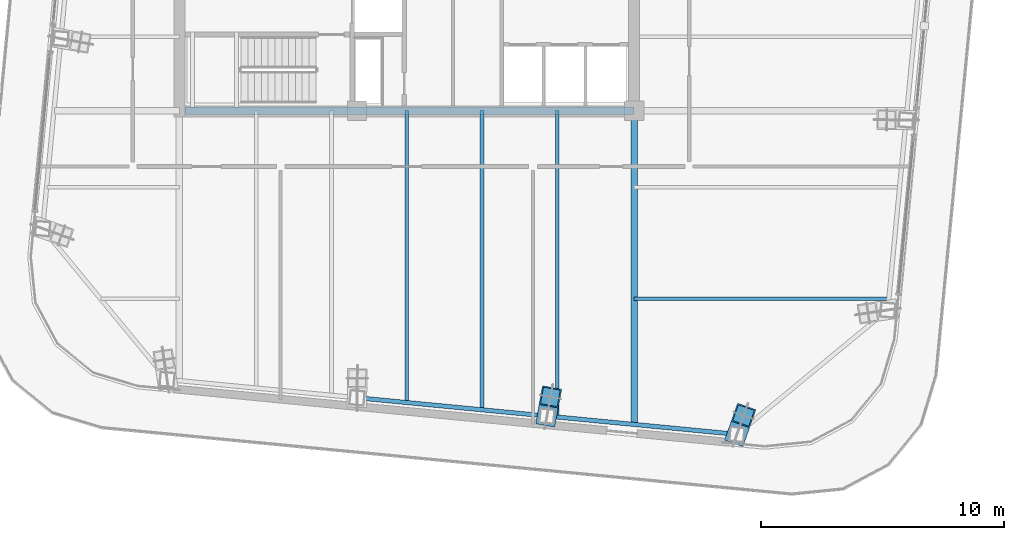
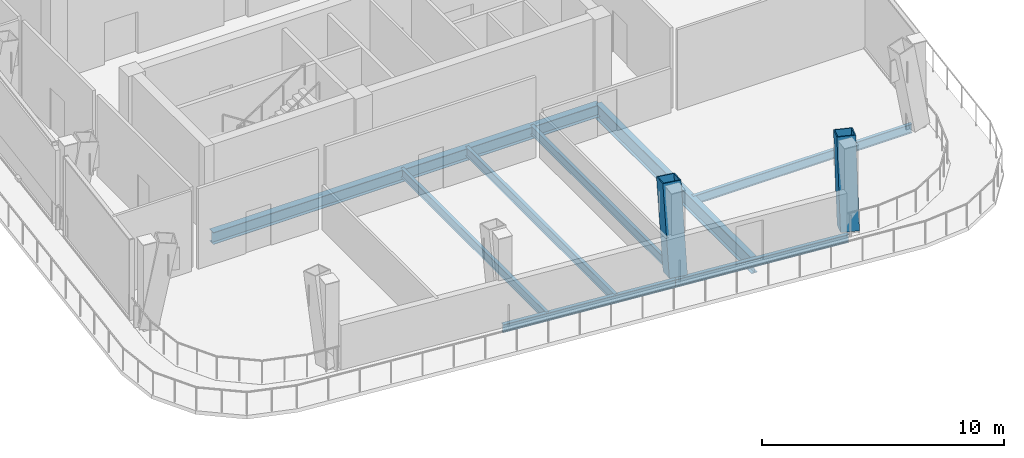
# One storey, part 3 of 19: 8 beams, 2 members.
"""IFC4 building model written with IfcOpenShell, lengths in metres."""

from ifc_helpers import new_model, si_unit, direction, frame, origin, origin_2d, place, context, subcontext, project, spatial, hollow_rectangle, i_section, extrude, material, material_profile, profile_set, type_object, element, save


model = new_model("IFC4")

# Units and contexts
model_context = context("Model", 3, precision=1e-05, world=origin(), true_north=direction((0.0, 1.0)))
body_context = subcontext(model_context, "Body", "Model", "MODEL_VIEW")
ifc_project = project(units=[si_unit("LENGTHUNIT", "METRE"), si_unit("AREAUNIT", "SQUARE_METRE"), si_unit("VOLUMEUNIT", "CUBIC_METRE"), si_unit("PLANEANGLEUNIT", "RADIAN"), si_unit("MASSUNIT", "GRAM", prefix="KILO")], contexts=[model_context])

# Site, building, storey
site_placement = place(None, origin())
site = spatial("IfcSite", under=ifc_project, at=site_placement, CompositionType="ELEMENT")
building_placement = place(site_placement, origin())
building = spatial("IfcBuilding", under=site, at=building_placement, Name="Qhalaya Broadcast Tower", CompositionType="ELEMENT")
storey_placement = place(building_placement, frame((0.0, 0.0, 280.550048828125)))
storey = spatial("IfcBuildingStorey", under=building, at=storey_placement, Name="L83", CompositionType="ELEMENT", Elevation=280.550048828125)

# Beams
ifc_material_1 = material(Name="Structural Steel ASTM A992 Grade 50", Category="steel")
ifc_material_profile_1 = material_profile(ifc_material_1, i_section(OverallWidth=0.154052734375, OverallDepth=0.458984375, WebThickness=0.009033203125, FlangeThickness=0.015380859375, at=origin_2d()), Name="W18X46")
ifc_profile_set_1 = profile_set([ifc_material_profile_1], Name="Structural Steel ASTM A992 Grade 50")
beam_type_1 = type_object("IfcBeamType", Name="Composite Floor Joist J04", PredefinedType="JOIST", material=ifc_profile_set_1)
beam_1_placement = place(storey_placement, frame((0.0, -20.760009765625, -0.41943359375), z_axis=(0.0, 1.0, 0.0), x_axis=(-1.0, 0.0, 0.0)))
element("IfcBeam", 1, at=beam_1_placement, inside=storey, type_object=beam_type_1, Name="L83 J04 L83-JNS3-1", PredefinedType="JOIST", context=body_context, shape_type="SweptSolid", body=[
    extrude(i_section(OverallWidth=0.154052734375, OverallDepth=0.458984375, WebThickness=0.009033203125, FlangeThickness=0.015380859375, at=origin_2d()), origin(), (0.0, 0.0, 1.0), 12.010009765625),
])
beam_2_placement = place(storey_placement, frame((3.10009765625, -21.058349609375, -0.41943359375), z_axis=(0.0, 1.0, 0.0), x_axis=(-1.0, 0.0, 0.0)))
element("IfcBeam", 2, at=beam_2_placement, inside=storey, type_object=beam_type_1, Name="L83 J04 L83-JNS4-1", PredefinedType="JOIST", context=body_context, shape_type="SweptSolid", body=[
    extrude(i_section(OverallWidth=0.154052734375, OverallDepth=0.458984375, WebThickness=0.009033203125, FlangeThickness=0.015380859375, at=origin_2d()), origin(), (0.0, 0.0, 1.0), 12.308349609375),
])
beam_3_placement = place(storey_placement, frame((6.199951171875, -21.35693359375, -0.41943359375), z_axis=(0.0, 1.0, 0.0), x_axis=(-1.0, 0.0, 0.0)))
element("IfcBeam", 3, at=beam_3_placement, inside=storey, type_object=beam_type_1, Name="L83 J04 L83-JNS5-1", PredefinedType="JOIST", context=body_context, shape_type="SweptSolid", body=[
    extrude(i_section(OverallWidth=0.154052734375, OverallDepth=0.458984375, WebThickness=0.009033203125, FlangeThickness=0.015380859375, at=origin_2d()), origin(), (0.0, 0.0, 1.0), 12.60693359375),
])
beam_4_placement = place(storey_placement, frame((9.375, -16.5, -0.41943359375), z_axis=(1.0, 0.0, 0.0), x_axis=(0.0, 1.0, 0.0)))
element("IfcBeam", 4, at=beam_4_placement, inside=storey, type_object=beam_type_1, Name="L83 J04 L83-JWE1E-1", PredefinedType="JOIST", context=body_context, shape_type="SweptSolid", body=[
    extrude(i_section(OverallWidth=0.154052734375, OverallDepth=0.458984375, WebThickness=0.009033203125, FlangeThickness=0.015380859375, at=origin_2d()), origin(), (0.0, 0.0, 1.0), 10.47802734375),
])
ifc_material_profile_2 = material_profile(ifc_material_1, i_section(OverallWidth=0.323974609375, OverallDepth=0.612060546875, WebThickness=0.0126953125, FlangeThickness=0.01904296875, at=origin_2d()), Name="W24X104")
ifc_profile_set_2 = profile_set([ifc_material_profile_2], Name="Structural Steel ASTM A992 Grade 50")
beam_type_2 = type_object("IfcBeamType", Name="Core Frame Tie Beam B04", PredefinedType="BEAM", material=ifc_profile_set_2)
beam_5_placement = place(storey_placement, frame((-9.1201171875, -8.75, -0.49609375), z_axis=(1.0, 0.0, 0.0), x_axis=(0.0, 1.0, 0.0)))
element("IfcBeam", 5, at=beam_5_placement, inside=storey, type_object=beam_type_2, Name="L83 B04 L83-CCS3", PredefinedType="BEAM", context=body_context, shape_type="SweptSolid", body=[
    extrude(i_section(OverallWidth=0.323974609375, OverallDepth=0.612060546875, WebThickness=0.0126953125, FlangeThickness=0.01904296875, at=origin_2d()), origin(), (0.0, 0.0, 1.0), 18.4951171875),
])
ifc_material_profile_3 = material_profile(ifc_material_1, i_section(OverallWidth=0.26708984375, OverallDepth=0.780029296875, WebThickness=0.0166015625, FlangeThickness=0.030029296875, at=origin_2d()), Name="W30X148")
ifc_profile_set_3 = profile_set([ifc_material_profile_3], Name="Structural Steel ASTM A992 Grade 50")
beam_type_3 = type_object("IfcBeamType", Name="Neck & Crown Primary Girder PG5", PredefinedType="USERDEFINED", material=ifc_profile_set_3)
beam_6_placement = place(storey_placement, frame((9.375, -21.66259765625, -0.580078125), z_axis=(0.0, 1.0, 0.0), x_axis=(-1.0, 0.0, 0.0)))
element("IfcBeam", 6, at=beam_6_placement, inside=storey, type_object=beam_type_3, Name="L83 PG5 L83-PGXS2-1", ObjectType="GIRDER", PredefinedType="USERDEFINED", context=body_context, shape_type="SweptSolid", body=[
    extrude(i_section(OverallWidth=0.26708984375, OverallDepth=0.780029296875, WebThickness=0.0166015625, FlangeThickness=0.030029296875, at=origin_2d()), origin(), (0.0, 0.0, 1.0), 12.91259765625),
])

# Members
ifc_material_2 = material(Name="Structural Steel ASTM A572 Grade 50", Category="steel")
ifc_material_profile_4 = material_profile(ifc_material_2, hollow_rectangle(XDim=0.800048828125, YDim=0.800048828125, WallThickness=0.050048828125, at=origin_2d()), Name="BOX 800x800x50")
ifc_profile_set_4 = profile_set([ifc_material_profile_4], Name="Structural Steel ASTM A572 Grade 50")
member_type = type_object("IfcMemberType", Name="Upper Exoskeleton Transfer Strut RK2", PredefinedType="BRACE", material=ifc_profile_set_4)
member_1_placement = place(storey_placement, frame((5.77783203125, -21.33642578125, 0.083984375), z_axis=(0.032958775289, 0.182004431459, 0.982745188775), x_axis=(-0.983996160528, 0.178189663186, 0.0)))
element("IfcMember", 7, at=member_1_placement, inside=storey, type_object=member_type, Name="L83 Inclined Exoskeleton Transfer Strut 03", PredefinedType="BRACE", context=body_context, shape_type="SweptSolid", body=[
    extrude(hollow_rectangle(XDim=0.800048828125, YDim=0.800048828125, WallThickness=0.050048828125, at=origin_2d()), origin(), (0.0, 0.0, 1.0), 4.3408203125),
])
member_2_placement = place(storey_placement, frame((13.6083984375, -22.09033203125, 0.0859375), z_axis=(0.063467808139, 0.178935370512, 0.981811575869), x_axis=(-0.942469880886, 0.334291076193, 0.0)))
element("IfcMember", 8, at=member_2_placement, inside=storey, type_object=member_type, Name="L83 Inclined Exoskeleton Transfer Strut 04", PredefinedType="BRACE", context=body_context, shape_type="SweptSolid", body=[
    extrude(hollow_rectangle(XDim=0.800048828125, YDim=0.800048828125, WallThickness=0.050048828125, at=origin_2d()), origin(), (0.0, 0.0, 1.0), 4.343017578125),
])

# Beams
ifc_material_profile_5 = material_profile(ifc_material_1, i_section(OverallWidth=0.177978515625, OverallDepth=0.406005859375, WebThickness=0.0078125, FlangeThickness=0.0126953125, at=origin_2d()), Name="W16X40")
ifc_profile_set_5 = profile_set([ifc_material_profile_5], Name="Structural Steel ASTM A992 Grade 50")
beam_type_4 = type_object("IfcBeamType", Name="Upper Perimeter Spandrel Beam SP2", PredefinedType="SPANDREL", material=ifc_profile_set_5)
beam_7_placement = place(storey_placement, frame((-2.052490234375, -20.58251953125, -0.39306640625), z_axis=(0.995397023367, -0.095837184179, 0.0), x_axis=(0.095837184179, 0.995397023367, 0.0)))
element("IfcBeam", 9, at=beam_7_placement, inside=storey, type_object=beam_type_4, Name="L83 SP2 L83-SPR-02", PredefinedType="SPANDREL", context=body_context, shape_type="SweptSolid", body=[
    extrude(i_section(OverallWidth=0.177978515625, OverallDepth=0.406005859375, WebThickness=0.0078125, FlangeThickness=0.0126953125, at=origin_2d()), origin(), (0.0, 0.0, 1.0), 7.866455078125),
])
beam_8_placement = place(storey_placement, frame((5.77783203125, -21.33642578125, -0.39306640625), z_axis=(0.995397308407, -0.095834223619, 0.0), x_axis=(0.095834223619, 0.995397308407, 0.0)))
element("IfcBeam", 10, at=beam_8_placement, inside=storey, type_object=beam_type_4, Name="L83 SP2 L83-SPR-03", PredefinedType="SPANDREL", context=body_context, shape_type="SweptSolid", body=[
    extrude(i_section(OverallWidth=0.177978515625, OverallDepth=0.406005859375, WebThickness=0.0078125, FlangeThickness=0.0126953125, at=origin_2d()), origin(), (0.0, 0.0, 1.0), 7.86669921875),
])

save(model, "model.ifc")
